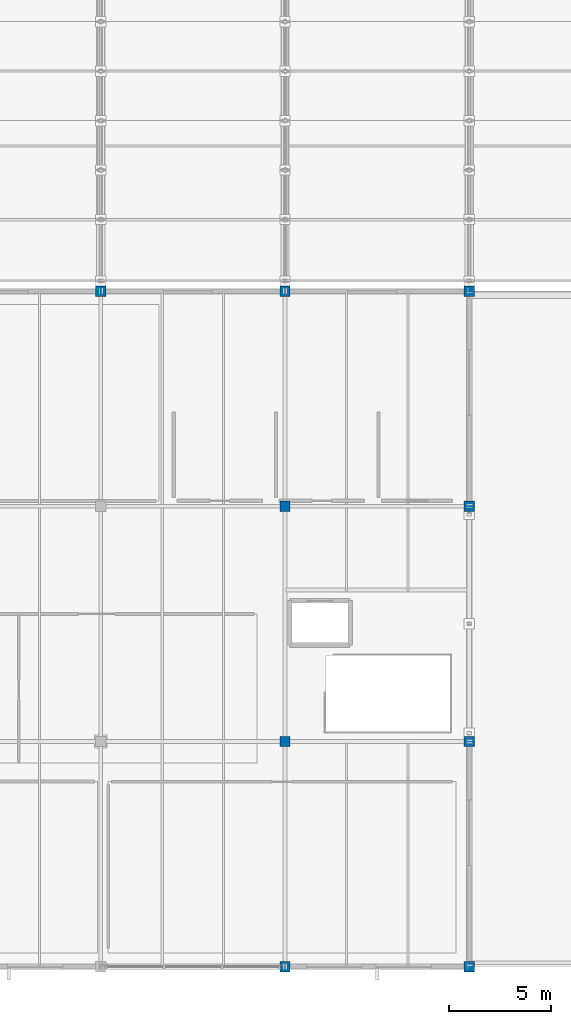
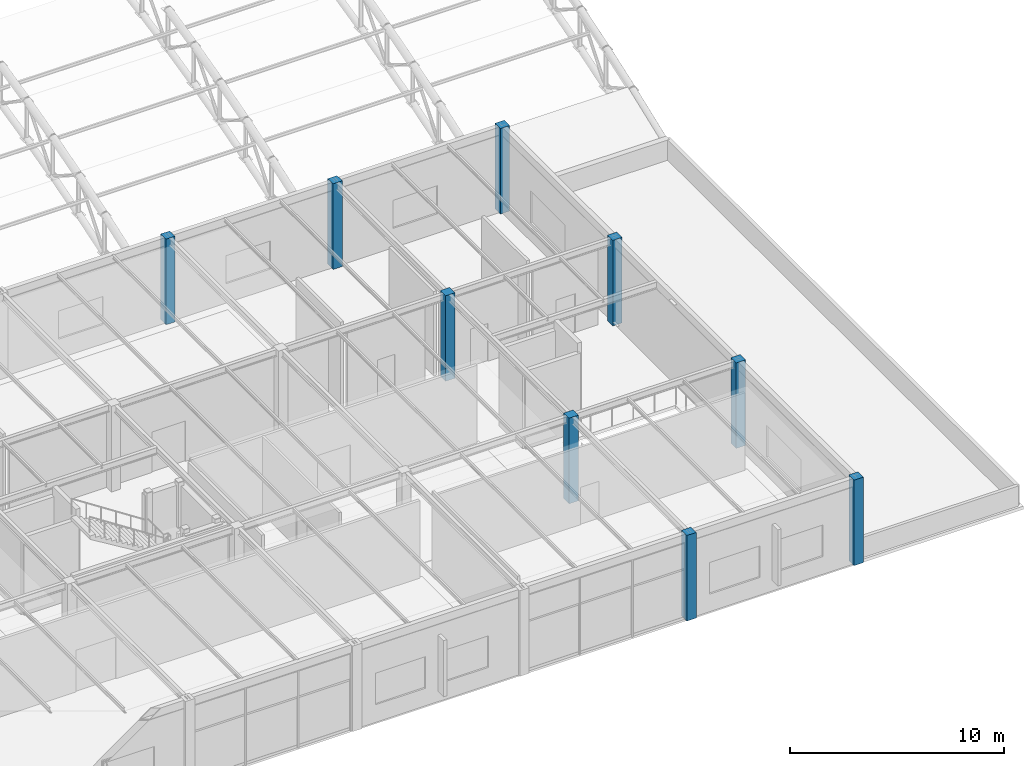
# One storey, part 11 of 195: 9 columns.
"""IFC4 building model written with IfcOpenShell, lengths in metres."""

import ifcopenshell
import ifcopenshell.guid

model = None  # the IFC model being written
_history = None  # IfcOwnerHistory: only IFC2X3 demands one
_inside = {}  # id of a spatial element -> (the spatial element, [elements in it])
_under = {}  # id of a project, library or spatial element -> (it, [spatial elements below it])
_declared = {}  # id of a project -> (the project, [libraries it declares])
_typed = {}  # id of a type object -> (the type object, [elements of that type])
_made_of = {}  # id of a material, layer set ... -> (it, [elements and type objects made of it])


def new_model(schema):
    """Start an empty IFC model of exactly this schema.

    Asked for "IFC4X3", IfcOpenShell would pick the latest addendum, in which some entities
    have other attributes; the version numbers below select the first issue.
    IFC2X3 requires an IfcOwnerHistory on every rooted entity: one is made here for all.
    """
    global model, _history
    if schema == "IFC4X3":
        model = ifcopenshell.file(schema_version=(4, 3, 0, 0))
    else:
        model = ifcopenshell.file(schema=schema)
    _inside.clear()
    _under.clear()
    _declared.clear()
    _typed.clear()
    _made_of.clear()
    _history = None
    if model.schema == "IFC2X3":
        org = make("IfcOrganization", Name="unknown")
        user = make(
            "IfcPersonAndOrganization",
            ThePerson=make("IfcPerson", FamilyName="unknown"),
            TheOrganization=org,
        )
        app = make(
            "IfcApplication",
            ApplicationDeveloper=org,
            Version="unknown",
            ApplicationFullName="unknown",
            ApplicationIdentifier="unknown",
        )
        _history = make(
            "IfcOwnerHistory",
            OwningUser=user,
            OwningApplication=app,
            ChangeAction="ADDED",
            CreationDate=0,
        )
    return model


def make(cls, **values):
    """One entity of the class cls with the attributes given. An attribute that is None is left unset."""
    return model.create_entity(
        cls, **{name: value for name, value in values.items() if value is not None}
    )


def rooted(cls, **values):
    """An entity with a GlobalId (a new one), such as an element, a storey or a relation."""
    return make(cls, GlobalId=ifcopenshell.guid.new(), OwnerHistory=_history, **values)


def si_unit(unit_type, name, prefix=None):
    """IfcSIUnit, for example si_unit("LENGTHUNIT", "METRE", prefix="MILLI")."""
    return make("IfcSIUnit", UnitType=unit_type, Prefix=prefix, Name=name)


def assignment(units):
    """IfcUnitAssignment: the units of a project."""
    return None if units is None else make("IfcUnitAssignment", Units=units)


def point(xyz):
    """IfcCartesianPoint."""
    return None if xyz is None else make("IfcCartesianPoint", Coordinates=xyz)


def direction(xyz):
    """IfcDirection."""
    return None if xyz is None else make("IfcDirection", DirectionRatios=xyz)


def frame(location, z_axis=None, x_axis=None):
    """IfcAxis2Placement3D, a coordinate frame: its origin and axes. An axis left out is left unset."""
    return make(
        "IfcAxis2Placement3D",
        Location=point(location),
        Axis=direction(z_axis),
        RefDirection=direction(x_axis),
    )


def frame_2d(location, x_axis=None):
    """IfcAxis2Placement2D, a coordinate frame in the plane: its origin and x axis."""
    return make(
        "IfcAxis2Placement2D", Location=point(location), RefDirection=direction(x_axis)
    )


def origin():
    """The frame at (0, 0, 0) with its axes left unset."""
    return frame((0.0, 0.0, 0.0))


def origin_2d():
    """The frame at (0, 0) in the plane with its x axis left unset."""
    return frame_2d((0.0, 0.0))


def place(relative_to, where):
    """IfcLocalPlacement: puts the frame where relative to a parent placement (None: the world)."""
    return make(
        "IfcLocalPlacement", PlacementRelTo=relative_to, RelativePlacement=where
    )


def context(
    kind, dimensions, precision=None, world=None, true_north=None, identifier=None
):
    """IfcGeometricRepresentationContext, for example the 3D "Model" context."""
    return make(
        "IfcGeometricRepresentationContext",
        ContextIdentifier=identifier,
        ContextType=kind,
        CoordinateSpaceDimension=dimensions,
        Precision=precision,
        WorldCoordinateSystem=world,
        TrueNorth=true_north,
    )


def subcontext(parent, identifier, kind, view, scale=None):
    """IfcGeometricRepresentationSubContext, for example "Body" below "Model"."""
    return make(
        "IfcGeometricRepresentationSubContext",
        ContextIdentifier=identifier,
        ContextType=kind,
        ParentContext=parent,
        TargetScale=scale,
        TargetView=view,
    )


def project(units=None, contexts=None):
    """IfcProject with its units and contexts."""
    return rooted(
        "IfcProject",
        Name="project",
        RepresentationContexts=contexts,
        UnitsInContext=assignment(units),
    )


def spatial(cls, under=None, at=None, **own):
    """A site, building, storey or space (cls), placed at a placement, below another one or the project."""
    s = rooted(cls, ObjectPlacement=at, **own)
    if under is not None:
        _under.setdefault(under.id(), (under, []))[1].append(s)
    return s


def profile(cls, at=None, kind="AREA", **sizes):
    """A parametric profile (cls). Its sizes go by their IFC names, for example OverallWidth=200.0."""
    return make(cls, ProfileType=kind, Position=at, **sizes)


def rectangle(**sizes):
    """IfcRectangleProfileDef."""
    return profile("IfcRectangleProfileDef", **sizes)


def extrude(swept, where, along, depth):
    """IfcExtrudedAreaSolid: the profile swept, set in the frame where, extruded along a direction by depth."""
    return make(
        "IfcExtrudedAreaSolid",
        SweptArea=swept,
        Position=where,
        ExtrudedDirection=direction(along),
        Depth=depth,
    )


def shape(context_of_items, identifier, shape_type, items):
    """IfcShapeRepresentation: the items that make up one representation, for example the "Body"."""
    return make(
        "IfcShapeRepresentation",
        ContextOfItems=context_of_items,
        RepresentationIdentifier=identifier,
        RepresentationType=shape_type,
        Items=items,
    )


def material(Name=None, Category=None):
    """IfcMaterial."""
    return make("IfcMaterial", Name=Name, Category=Category)


def material_profile(
    of_material, cross_section, Name=None, Category=None, Priority=None
):
    """IfcMaterialProfile: a cross section and its material."""
    return make(
        "IfcMaterialProfile",
        Name=Name,
        Material=of_material,
        Profile=cross_section,
        Priority=Priority,
        Category=Category,
    )


def profile_set(profiles, Name=None, composite=None):
    """IfcMaterialProfileSet."""
    return make(
        "IfcMaterialProfileSet",
        Name=Name,
        MaterialProfiles=profiles,
        CompositeProfile=composite,
    )


def made_of(thing, what):
    """Note that an element or type object is made of a material, layer set ...; save() writes the relation."""
    if what is not None:
        _made_of.setdefault(what.id(), (what, []))[1].append(thing)
    return thing


def type_object(cls, material=None, **own):
    """A type object (cls), such as IfcWallType, which elements share."""
    return made_of(rooted(cls, **own), material)


def element(
    cls,
    number,
    at=None,
    inside=None,
    cuts=None,
    type_object=None,
    material=None,
    context=None,
    identifier="Body",
    shape_type=None,
    held_by="IfcProductDefinitionShape",
    body=None,
    shapes=None,
    **own,
):
    """One element of the class cls, such as IfcWall. Its Tag is "e" and its number.

    at: its placement. inside: the storey or other place that contains it. cuts: it is an
    opening in that element (IfcRelVoidsElement). A single representation is given by context,
    identifier, shape_type and body (its items); several are given by shapes. held_by: the class
    of the entity that holds the representations. save() writes the other relations.
    """
    e = rooted(cls, Tag="e%d" % number, ObjectPlacement=at, **own)
    if body is not None:
        shapes = [shape(context, identifier, shape_type, body)]
    if shapes is not None:
        e.Representation = make(held_by, Representations=shapes)
    if inside is not None:
        _inside.setdefault(inside.id(), (inside, []))[1].append(e)
    if cuts is not None:
        rooted(
            "IfcRelVoidsElement", RelatingBuildingElement=cuts, RelatedOpeningElement=e
        )
    if type_object is not None:
        _typed.setdefault(type_object.id(), (type_object, []))[1].append(e)
    return made_of(e, material)


def aggregate(whole, parts):
    """IfcRelAggregates: a whole, such as a stair, and the parts it consists of."""
    return rooted("IfcRelAggregates", RelatingObject=whole, RelatedObjects=parts)


def save(model, path):
    """Write the relations noted so far, then the file.

    IfcRelAggregates (storeys below a building ...), IfcRelContainedInSpatialStructure (elements
    in a storey), IfcRelDefinesByType, IfcRelAssociatesMaterial and IfcRelDeclares: one each for
    every whole, place, type object, material and project.
    """
    for whole, parts in _under.values():
        aggregate(whole, parts)
    for where, things in _inside.values():
        rooted(
            "IfcRelContainedInSpatialStructure",
            RelatedElements=things,
            RelatingStructure=where,
        )
    for kind, things in _typed.values():
        rooted("IfcRelDefinesByType", RelatedObjects=things, RelatingType=kind)
    for what, things in _made_of.values():
        rooted("IfcRelAssociatesMaterial", RelatedObjects=things, RelatingMaterial=what)
    for by, libraries in _declared.values():
        rooted("IfcRelDeclares", RelatingContext=by, RelatedDefinitions=libraries)
    model.write(path)


model = new_model("IFC4")

# Units and contexts
model_context = context("Model", 3, precision=1e-05, world=origin(), true_north=direction((0.0, 1.0)))
body_context = subcontext(model_context, "Body", "Model", "MODEL_VIEW")
ifc_project = project(units=[si_unit("LENGTHUNIT", "METRE"), si_unit("AREAUNIT", "SQUARE_METRE"), si_unit("VOLUMEUNIT", "CUBIC_METRE"), si_unit("PLANEANGLEUNIT", "RADIAN"), si_unit("MASSUNIT", "GRAM", prefix="KILO")], contexts=[model_context])

# Site, building, storey
site_placement = place(None, origin())
site = spatial("IfcSite", under=ifc_project, at=site_placement, CompositionType="ELEMENT")
building_placement = place(site_placement, origin())
building = spatial("IfcBuilding", under=site, at=building_placement, Name="Marlcrest Central Station", CompositionType="ELEMENT")
storey_placement = place(building_placement, frame((0.0, 0.0, 9.800048828125)))
storey = spatial("IfcBuildingStorey", under=building, at=storey_placement, Name="L02", CompositionType="ELEMENT", Elevation=9.800048828125)

# Columns
ifc_material = material(Name="Concrete C40/50", Category="concrete")
ifc_material_profile = material_profile(ifc_material, rectangle(XDim=0.5, YDim=0.5, at=origin_2d()), Name="RC 500x500")
ifc_profile_set = profile_set([ifc_material_profile], Name="Concrete C40/50")
column_type = type_object("IfcColumnType", Name="RC-02", PredefinedType="COLUMN", material=ifc_profile_set)
for number, where, z_axis, x_axis, name in (
    (1, (189.0, 33.0, 0.0), (0.0, 0.0, 1.0), (1.0, 0.0, 0.0), "col-RC-02-L02-0353"),
    (2, (198.0, 0.0, 0.0), (0.0, 0.0, 1.0), (1.0, 0.0, 0.0), "col-RC-02-L02-0354"),
    (3, (198.0, 11.0, 0.0), (0.0, 0.0, 1.0), (1.0, 0.0, 0.0), "col-RC-02-L02-0355"),
    (4, (198.0, 22.5, 0.0), (0.0, 0.0, 1.0), (1.0, 0.0, 0.0), "col-RC-02-L02-0356"),
    (5, (198.0, 33.0, 0.0), (0.0, 0.0, 1.0), (1.0, 0.0, 0.0), "col-RC-02-L02-0357"),
    (6, (207.0, 0.0, 0.0), (0.0, 0.0, 1.0), (1.0, 0.0, 0.0), "col-RC-02-L02-0358"),
    (7, (207.0, 11.0, 0.0), (0.0, 0.0, 1.0), (1.0, 0.0, 0.0), "col-RC-02-L02-0359"),
    (8, (207.0, 22.5, 0.0), (0.0, 0.0, 1.0), (1.0, 0.0, 0.0), "col-RC-02-L02-0360"),
    (9, (207.0, 33.0, 0.0), (0.0, 0.0, 1.0), (1.0, 0.0, 0.0), "col-RC-02-L02-0361"),
):
    element("IfcColumn", number, at=place(storey_placement, frame(where, z_axis=z_axis, x_axis=x_axis)), inside=storey, type_object=column_type, Name=name, PredefinedType="COLUMN", context=body_context, shape_type="SweptSolid", body=[
        extrude(rectangle(XDim=0.5, YDim=0.5, at=origin_2d()), origin(), (0.0, 0.0, 1.0), 4.869873046875),
    ])

save(model, "model.ifc")
